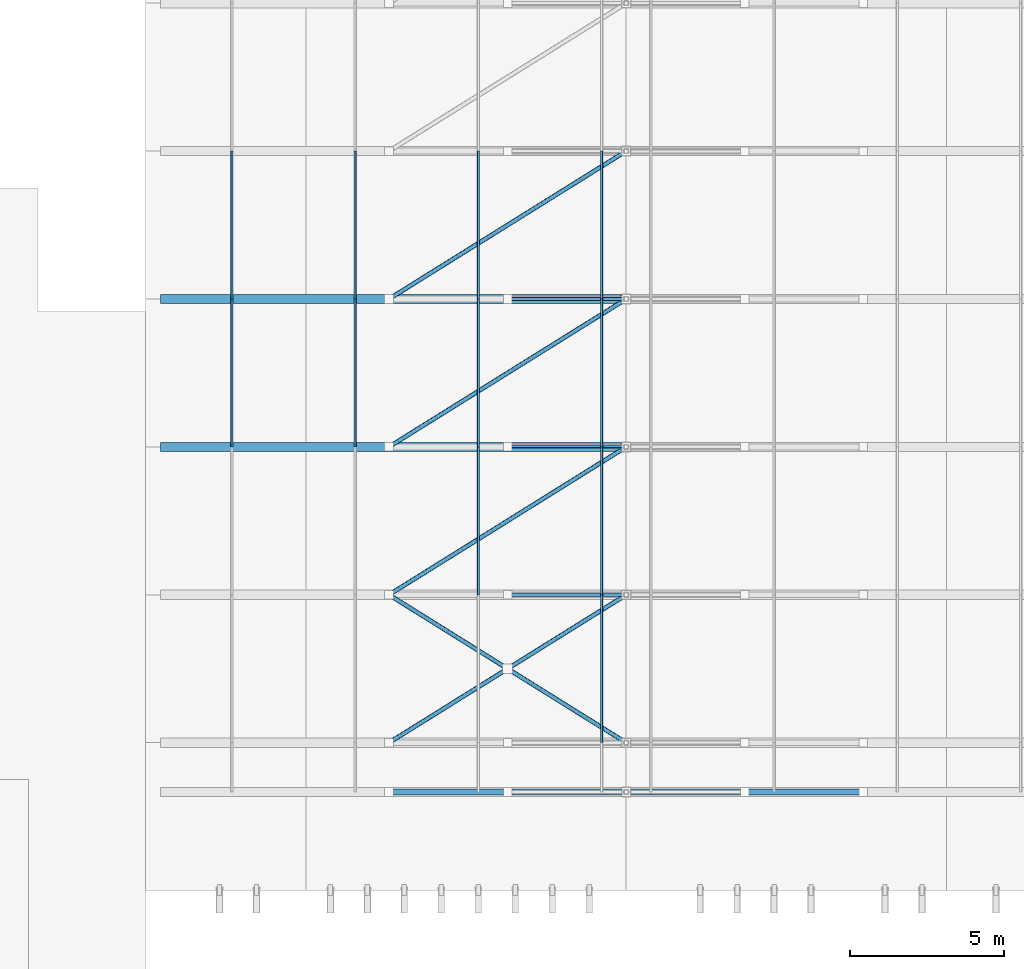
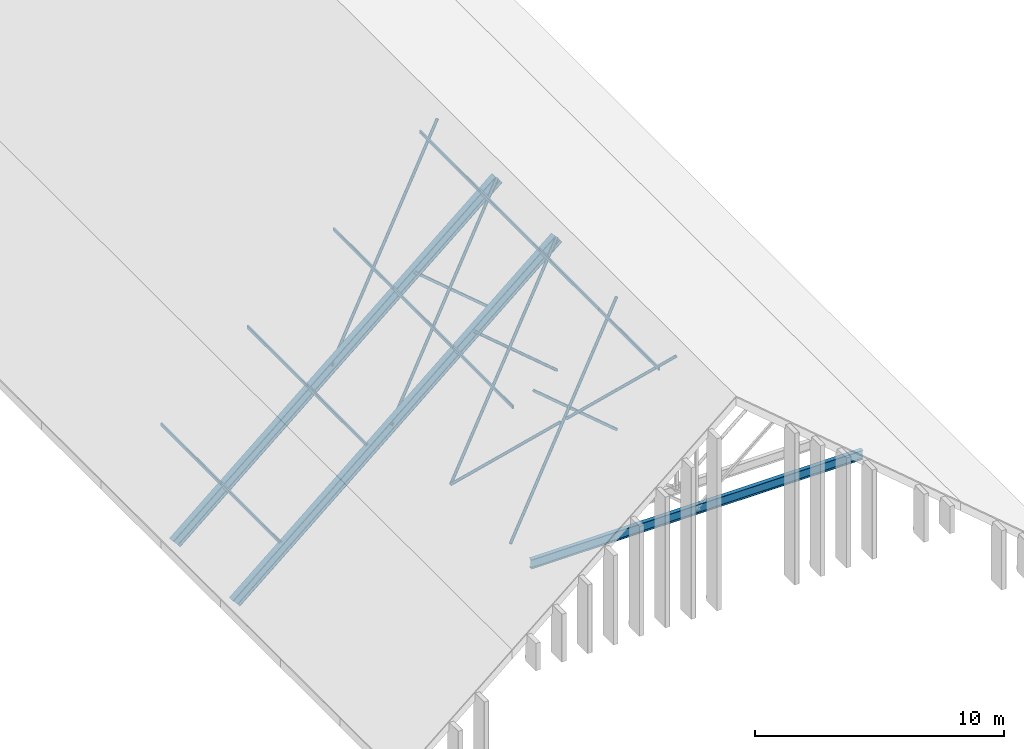
# One storey, part 23 of 60: 20 members, 3 beams.
"""IFC4 building model written with IfcOpenShell, lengths in metres."""

from ifc_helpers import new_model, si_unit, direction, frame, origin, origin_2d, place, context, subcontext, project, spatial, hollow_rectangle, hollow_circle, i_section, extrude, material, material_profile, profile_set, type_object, element, save


model = new_model("IFC4")

# Units and contexts
model_context = context("Model", 3, precision=1e-05, world=origin(), true_north=direction((0.0, 1.0)))
body_context = subcontext(model_context, "Body", "Model", "MODEL_VIEW")
ifc_project = project(units=[si_unit("LENGTHUNIT", "METRE"), si_unit("AREAUNIT", "SQUARE_METRE"), si_unit("VOLUMEUNIT", "CUBIC_METRE"), si_unit("PLANEANGLEUNIT", "RADIAN"), si_unit("MASSUNIT", "GRAM", prefix="KILO")], contexts=[model_context])

# Site, building, storey
site_placement = place(None, origin())
site = spatial("IfcSite", under=ifc_project, at=site_placement, CompositionType="ELEMENT")
building_placement = place(site_placement, origin())
building = spatial("IfcBuilding", under=site, at=building_placement, Name="Nakhvara Creek Congress Hotel", CompositionType="ELEMENT")
storey_placement = place(building_placement, frame((0.0, 0.0, 54.60009765625)))
storey = spatial("IfcBuildingStorey", under=building, at=storey_placement, Name="RL1", CompositionType="ELEMENT", Elevation=54.60009765625)

# Beams
ifc_material_1 = material(Name="Steel S355J2", Category="steel")
ifc_material_profile_1 = material_profile(ifc_material_1, i_section(OverallWidth=0.300048828125, OverallDepth=0.5, WebThickness=0.014404296875, FlangeThickness=0.028076171875, FilletRadius=0.027099609375, at=origin_2d()), Name="HEB 500", Category="LoadBearing")
ifc_profile_set_1 = profile_set([ifc_material_profile_1], Name="Steel S355J2")
beam_type_1 = type_object("IfcBeamType", Name="BM-ST-HEB500", PredefinedType="BEAM", material=ifc_profile_set_1)
for number, where, z_axis, x_axis, name in (
    (1, (149.449951171875, 87.60009765625, -4.5361328125), (0.763387703972, 0.0, 0.645940564932), (0.0, 1.0, 0.0), "Hotel Gothic Gable West Rafter 04"),
    (2, (149.449951171875, 92.39990234375, -4.5361328125), (0.763387703972, 0.0, 0.645940564932), (0.0, 1.0, 0.0), "Hotel Gothic Gable West Rafter 05"),
):
    element("IfcBeam", number, at=place(storey_placement, frame(where, z_axis=z_axis, x_axis=x_axis)), inside=storey, type_object=beam_type_1, Name=name, PredefinedType="BEAM", context=body_context, shape_type="SweptSolid", body=[
        extrude(i_section(OverallWidth=0.300048828125, OverallDepth=0.5, WebThickness=0.014404296875, FlangeThickness=0.028076171875, FilletRadius=0.027099609375, at=origin_2d()), origin(), (0.0, 0.0, 1.0), 19.583740234375),
    ])
ifc_material_profile_2 = material_profile(ifc_material_1, i_section(OverallWidth=0.1904296875, OverallDepth=0.45703125, WebThickness=0.009033203125, FlangeThickness=0.014404296875, FilletRadius=0.01025390625, at=origin_2d()), Name="UB 457x191x74", Category="LoadBearing")
ifc_profile_set_2 = profile_set([ifc_material_profile_2], Name="Steel S355J2")
beam_type_2 = type_object("IfcBeamType", Name="BM-ST-UB457", PredefinedType="BEAM", material=ifc_profile_set_2)
beam_placement = place(storey_placement, frame((156.70166015625, 76.39990234375, 1.599853515625), z_axis=(1.0, 0.0, 0.0), x_axis=(0.0, 1.0, 0.0)))
element("IfcBeam", 3, at=beam_placement, inside=storey, type_object=beam_type_2, Name="Hotel Gothic Gable Collar Tie 01", PredefinedType="BEAM", context=body_context, shape_type="SweptSolid", body=[
    extrude(i_section(OverallWidth=0.1904296875, OverallDepth=0.45703125, WebThickness=0.009033203125, FlangeThickness=0.014404296875, FilletRadius=0.01025390625, at=origin_2d()), origin(), (0.0, 0.0, 1.0), 15.396728515625),
])

# Members
ifc_material_2 = material(Name="Steel S355J2H", Category="steel")
ifc_material_profile_3 = material_profile(ifc_material_2, hollow_circle(Radius=0.06982421875, WallThickness=0.00634765625, at=origin_2d()), Name="CHS 139.7x6.3", Category="LoadBearing")
ifc_profile_set_3 = profile_set([ifc_material_profile_3], Name="Steel S355J2H")
member_type_1 = type_object("IfcMemberType", Name="MEM-BRC-CHS139", PredefinedType="BRACE", material=ifc_profile_set_3)
member_1_placement = place(storey_placement, frame((156.70166015625, 78.0, 1.599853515625), z_axis=(0.689284113032, 0.429786088619, 0.58324208486), x_axis=(-0.529098783397, 0.848560237937, 0.0)))
element("IfcMember", 4, at=member_1_placement, inside=storey, type_object=member_type_1, Name="Hotel Gable Roof Diaphragm Brace 02", PredefinedType="BRACE", context=body_context, shape_type="SweptSolid", body=[
    extrude(hollow_circle(Radius=0.06982421875, WallThickness=0.00634765625, at=origin_2d()), origin(), (0.0, 0.0, 1.0), 11.16845703125),
])
member_2_placement = place(storey_placement, frame((156.70166015625, 82.800048828125, 1.599853515625), z_axis=(0.68929170594, -0.429781517776, 0.583236479569), x_axis=(0.529090534892, 0.848565381033, 0.0)))
element("IfcMember", 5, at=member_2_placement, inside=storey, type_object=member_type_1, Name="Hotel Gable Split X-Brace Segment 02A", PredefinedType="BRACE", context=body_context, shape_type="SweptSolid", body=[
    extrude(hollow_circle(Radius=0.06982421875, WallThickness=0.00634765625, at=origin_2d()), origin(), (0.0, 0.0, 1.0), 5.4443359375),
])
member_3_placement = place(storey_placement, frame((160.647216796875, 80.33984375, 4.938720703125), z_axis=(0.689309734001, -0.429792758484, 0.583206888991), x_axis=(0.529090534892, 0.848565381033, 0.0)))
element("IfcMember", 6, at=member_3_placement, inside=storey, type_object=member_type_1, Name="Hotel Gable Split X-Brace Segment 02B", PredefinedType="BRACE", context=body_context, shape_type="SweptSolid", body=[
    extrude(hollow_circle(Radius=0.06982421875, WallThickness=0.00634765625, at=origin_2d()), origin(), (0.0, 0.0, 1.0), 5.444091796875),
])
for number, where, z_axis, x_axis, name in (
    (7, (156.70166015625, 82.800048828125, 1.599853515625), (0.689284113032, 0.429786088619, 0.58324208486), (-0.529098783397, 0.848560237937, 0.0), "Hotel Gable Roof Diaphragm Brace 03"),
    (8, (156.70166015625, 87.60009765625, 1.599853515625), (0.689290588817, 0.429768266401, 0.583247564386), (-0.529079405538, 0.848572320215, 0.0), "Hotel Gable Roof Diaphragm Brace 04"),
    (9, (156.70166015625, 92.39990234375, 1.599853515625), (0.689284113032, 0.429786088619, 0.58324208486), (-0.529098783397, 0.848560237937, 0.0), "Hotel Gable Roof Diaphragm Brace 05"),
):
    element("IfcMember", number, at=place(storey_placement, frame(where, z_axis=z_axis, x_axis=x_axis)), inside=storey, type_object=member_type_1, Name=name, PredefinedType="BRACE", context=body_context, shape_type="SweptSolid", body=[
        extrude(hollow_circle(Radius=0.06982421875, WallThickness=0.00634765625, at=origin_2d()), origin(), (0.0, 0.0, 1.0), 11.16845703125),
    ])
ifc_material_profile_4 = material_profile(ifc_material_2, hollow_circle(Radius=0.06982421875, WallThickness=0.008056640625, at=origin_2d()), Name="CHS 139.7x8.0", Category="LoadBearing")
ifc_profile_set_4 = profile_set([ifc_material_profile_4], Name="Steel S355J2H")
member_type_2 = type_object("IfcMemberType", Name="MEM-BRC-CHS139H", PredefinedType="BRACE", material=ifc_profile_set_4)
member_4_placement = place(storey_placement, frame((164.39990234375, 87.60009765625, 1.599853515625), z_axis=(-0.763373429147, 0.0, 0.645957434876), x_axis=(0.0, -1.0, 0.0)))
element("IfcMember", 10, at=member_4_placement, inside=storey, type_object=member_type_2, Name="Hotel Gable Web Brace W-04", PredefinedType="BRACE", context=body_context, shape_type="SweptSolid", body=[
    extrude(hollow_circle(Radius=0.06982421875, WallThickness=0.008056640625, at=origin_2d()), origin(), (0.0, 0.0, 1.0), 5.042236328125),
])
ifc_material_profile_5 = material_profile(ifc_material_2, hollow_rectangle(XDim=0.1201171875, YDim=0.1201171875, WallThickness=0.008056640625, InnerFilletRadius=0.008056640625, OuterFilletRadius=0.01611328125, at=origin_2d()), Name="SHS 120x120x8.0", Category="LoadBearing")
ifc_profile_set_5 = profile_set([ifc_material_profile_5], Name="Steel S355J2H")
member_type_3 = type_object("IfcMemberType", Name="MEM-BRC-SHS120", PredefinedType="BRACE", material=ifc_profile_set_5)
for number, where, z_axis, x_axis, name in (
    (11, (164.39990234375, 82.800048828125, 1.599853515625), (-0.763373429147, 0.0, 0.645957434876), (0.0, -1.0, 0.0), "Hotel Gable Web Brace W-03"),
    (12, (164.39990234375, 92.39990234375, 1.599853515625), (-0.763373429147, 0.0, 0.645957434876), (0.0, -1.0, 0.0), "Hotel Gable Web Brace W-05"),
):
    element("IfcMember", number, at=place(storey_placement, frame(where, z_axis=z_axis, x_axis=x_axis)), inside=storey, type_object=member_type_3, Name=name, PredefinedType="BRACE", context=body_context, shape_type="SweptSolid", body=[
        extrude(hollow_rectangle(XDim=0.1201171875, YDim=0.1201171875, WallThickness=0.008056640625, InnerFilletRadius=0.008056640625, OuterFilletRadius=0.01611328125, at=origin_2d()), origin(), (0.0, 0.0, 1.0), 5.042236328125),
    ])
ifc_material_profile_6 = material_profile(ifc_material_2, hollow_rectangle(XDim=0.080078125, YDim=0.159912109375, WallThickness=0.00634765625, InnerFilletRadius=0.00634765625, OuterFilletRadius=0.0126953125, at=origin_2d()), Name="RHS 160x80x6.3", Category="LoadBearing")
ifc_profile_set_6 = profile_set([ifc_material_profile_6], Name="Steel S355J2H")
member_type_4 = type_object("IfcMemberType", Name="MEM-PUR-RHS160", PredefinedType="PURLIN", material=ifc_profile_set_6)
member_5_placement = place(storey_placement, frame((151.60009765625, 87.60009765625, -2.39697265625), z_axis=(0.0, 1.0, 0.0), x_axis=(-1.0, 0.0, 0.0)))
element("IfcMember", 13, at=member_5_placement, inside=storey, type_object=member_type_4, Name="Hotel Gable Purlin PR03-1.04", PredefinedType="PURLIN", context=body_context, shape_type="SweptSolid", body=[
    extrude(hollow_rectangle(XDim=0.080078125, YDim=0.159912109375, WallThickness=0.00634765625, InnerFilletRadius=0.00634765625, OuterFilletRadius=0.0126953125, at=origin_2d()), origin(), (0.0, 0.0, 1.0), 4.7998046875),
])
member_6_placement = place(storey_placement, frame((151.60009765625, 92.39990234375, -2.39697265625), z_axis=(0.0, 1.0, 0.0), x_axis=(-1.0, 0.0, 0.0)))
element("IfcMember", 14, at=member_6_placement, inside=storey, type_object=member_type_4, Name="Hotel Gable Purlin PR03-1.05", PredefinedType="PURLIN", context=body_context, shape_type="SweptSolid", body=[
    extrude(hollow_rectangle(XDim=0.080078125, YDim=0.159912109375, WallThickness=0.00634765625, InnerFilletRadius=0.00634765625, OuterFilletRadius=0.0126953125, at=origin_2d()), origin(), (0.0, 0.0, 1.0), 4.800048828125),
])
member_7_placement = place(storey_placement, frame((155.60009765625, 87.60009765625, 0.98779296875), z_axis=(0.0, 1.0, 0.0), x_axis=(-1.0, 0.0, 0.0)))
element("IfcMember", 15, at=member_7_placement, inside=storey, type_object=member_type_4, Name="Hotel Gable Purlin PR03-2.04", PredefinedType="PURLIN", context=body_context, shape_type="SweptSolid", body=[
    extrude(hollow_rectangle(XDim=0.080078125, YDim=0.159912109375, WallThickness=0.00634765625, InnerFilletRadius=0.00634765625, OuterFilletRadius=0.0126953125, at=origin_2d()), origin(), (0.0, 0.0, 1.0), 4.7998046875),
])
for number, where, z_axis, x_axis, name in (
    (16, (155.60009765625, 92.39990234375, 0.98779296875), (0.0, 1.0, 0.0), (-1.0, 0.0, 0.0), "Hotel Gable Purlin PR03-2.05"),
    (17, (159.60009765625, 82.800048828125, 4.372314453125), (0.0, 1.0, 0.0), (-1.0, 0.0, 0.0), "Hotel Gable Purlin PR03-3.03"),
):
    element("IfcMember", number, at=place(storey_placement, frame(where, z_axis=z_axis, x_axis=x_axis)), inside=storey, type_object=member_type_4, Name=name, PredefinedType="PURLIN", context=body_context, shape_type="SweptSolid", body=[
        extrude(hollow_rectangle(XDim=0.080078125, YDim=0.159912109375, WallThickness=0.00634765625, InnerFilletRadius=0.00634765625, OuterFilletRadius=0.0126953125, at=origin_2d()), origin(), (0.0, 0.0, 1.0), 4.800048828125),
    ])
member_8_placement = place(storey_placement, frame((159.60009765625, 87.60009765625, 4.372314453125), z_axis=(0.0, 1.0, 0.0), x_axis=(-1.0, 0.0, 0.0)))
element("IfcMember", 18, at=member_8_placement, inside=storey, type_object=member_type_4, Name="Hotel Gable Purlin PR03-3.04", PredefinedType="PURLIN", context=body_context, shape_type="SweptSolid", body=[
    extrude(hollow_rectangle(XDim=0.080078125, YDim=0.159912109375, WallThickness=0.00634765625, InnerFilletRadius=0.00634765625, OuterFilletRadius=0.0126953125, at=origin_2d()), origin(), (0.0, 0.0, 1.0), 4.7998046875),
])
for number, where, z_axis, x_axis, name in (
    (19, (159.60009765625, 92.39990234375, 4.372314453125), (0.0, 1.0, 0.0), (-1.0, 0.0, 0.0), "Hotel Gable Purlin PR03-3.05"),
    (20, (163.60009765625, 78.0, 7.7568359375), (0.0, 1.0, 0.0), (-1.0, 0.0, 0.0), "Hotel Gable Purlin PR03-4.02"),
    (21, (163.60009765625, 82.800048828125, 7.7568359375), (0.0, 1.0, 0.0), (-1.0, 0.0, 0.0), "Hotel Gable Purlin PR03-4.03"),
):
    element("IfcMember", number, at=place(storey_placement, frame(where, z_axis=z_axis, x_axis=x_axis)), inside=storey, type_object=member_type_4, Name=name, PredefinedType="PURLIN", context=body_context, shape_type="SweptSolid", body=[
        extrude(hollow_rectangle(XDim=0.080078125, YDim=0.159912109375, WallThickness=0.00634765625, InnerFilletRadius=0.00634765625, OuterFilletRadius=0.0126953125, at=origin_2d()), origin(), (0.0, 0.0, 1.0), 4.800048828125),
    ])
member_9_placement = place(storey_placement, frame((163.60009765625, 87.60009765625, 7.7568359375), z_axis=(0.0, 1.0, 0.0), x_axis=(-1.0, 0.0, 0.0)))
element("IfcMember", 22, at=member_9_placement, inside=storey, type_object=member_type_4, Name="Hotel Gable Purlin PR03-4.04", PredefinedType="PURLIN", context=body_context, shape_type="SweptSolid", body=[
    extrude(hollow_rectangle(XDim=0.080078125, YDim=0.159912109375, WallThickness=0.00634765625, InnerFilletRadius=0.00634765625, OuterFilletRadius=0.0126953125, at=origin_2d()), origin(), (0.0, 0.0, 1.0), 4.7998046875),
])
member_10_placement = place(storey_placement, frame((163.60009765625, 92.39990234375, 7.7568359375), z_axis=(0.0, 1.0, 0.0), x_axis=(-1.0, 0.0, 0.0)))
element("IfcMember", 23, at=member_10_placement, inside=storey, type_object=member_type_4, Name="Hotel Gable Purlin PR03-4.05", PredefinedType="PURLIN", context=body_context, shape_type="SweptSolid", body=[
    extrude(hollow_rectangle(XDim=0.080078125, YDim=0.159912109375, WallThickness=0.00634765625, InnerFilletRadius=0.00634765625, OuterFilletRadius=0.0126953125, at=origin_2d()), origin(), (0.0, 0.0, 1.0), 4.800048828125),
])

save(model, "model.ifc")
